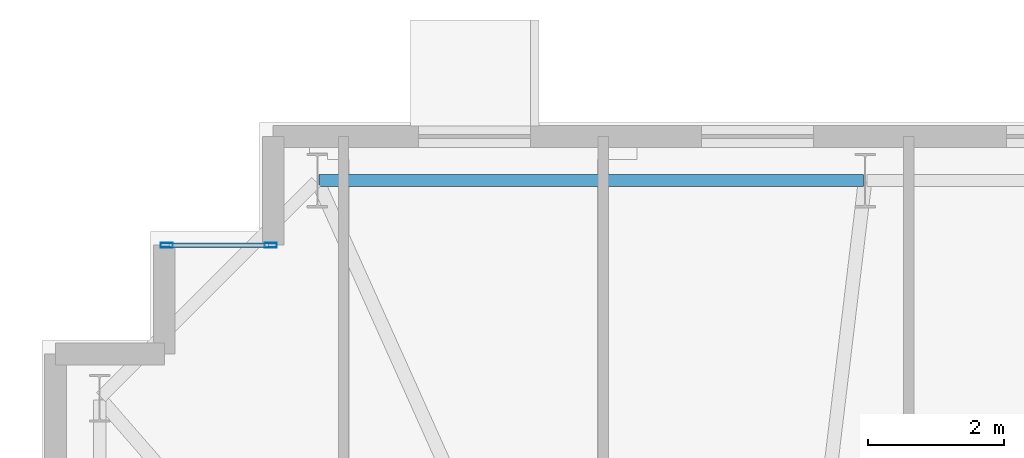
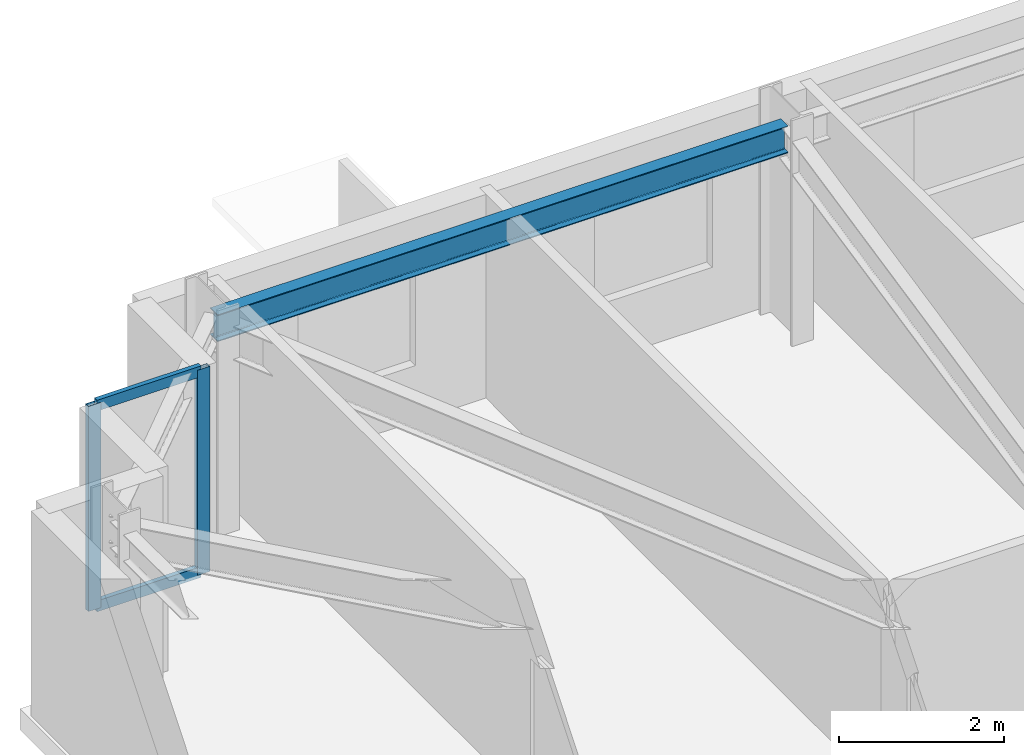
# One storey, part 7 of 17: 4 members, 1 beam, 1 element without a shape of its own.
"""IFC4 building model written with IfcOpenShell, lengths in metres."""

import ifcopenshell
import ifcopenshell.guid

model = None  # the IFC model being written
_history = None  # IfcOwnerHistory: only IFC2X3 demands one
_inside = {}  # id of a spatial element -> (the spatial element, [elements in it])
_under = {}  # id of a project, library or spatial element -> (it, [spatial elements below it])
_declared = {}  # id of a project -> (the project, [libraries it declares])
_typed = {}  # id of a type object -> (the type object, [elements of that type])
_made_of = {}  # id of a material, layer set ... -> (it, [elements and type objects made of it])


def new_model(schema):
    """Start an empty IFC model of exactly this schema.

    Asked for "IFC4X3", IfcOpenShell would pick the latest addendum, in which some entities
    have other attributes; the version numbers below select the first issue.
    IFC2X3 requires an IfcOwnerHistory on every rooted entity: one is made here for all.
    """
    global model, _history
    if schema == "IFC4X3":
        model = ifcopenshell.file(schema_version=(4, 3, 0, 0))
    else:
        model = ifcopenshell.file(schema=schema)
    _inside.clear()
    _under.clear()
    _declared.clear()
    _typed.clear()
    _made_of.clear()
    _history = None
    if model.schema == "IFC2X3":
        org = make("IfcOrganization", Name="unknown")
        user = make(
            "IfcPersonAndOrganization",
            ThePerson=make("IfcPerson", FamilyName="unknown"),
            TheOrganization=org,
        )
        app = make(
            "IfcApplication",
            ApplicationDeveloper=org,
            Version="unknown",
            ApplicationFullName="unknown",
            ApplicationIdentifier="unknown",
        )
        _history = make(
            "IfcOwnerHistory",
            OwningUser=user,
            OwningApplication=app,
            ChangeAction="ADDED",
            CreationDate=0,
        )
    return model


def make(cls, **values):
    """One entity of the class cls with the attributes given. An attribute that is None is left unset."""
    return model.create_entity(
        cls, **{name: value for name, value in values.items() if value is not None}
    )


def rooted(cls, **values):
    """An entity with a GlobalId (a new one), such as an element, a storey or a relation."""
    return make(cls, GlobalId=ifcopenshell.guid.new(), OwnerHistory=_history, **values)


def si_unit(unit_type, name, prefix=None):
    """IfcSIUnit, for example si_unit("LENGTHUNIT", "METRE", prefix="MILLI")."""
    return make("IfcSIUnit", UnitType=unit_type, Prefix=prefix, Name=name)


def assignment(units):
    """IfcUnitAssignment: the units of a project."""
    return None if units is None else make("IfcUnitAssignment", Units=units)


def point(xyz):
    """IfcCartesianPoint."""
    return None if xyz is None else make("IfcCartesianPoint", Coordinates=xyz)


def direction(xyz):
    """IfcDirection."""
    return None if xyz is None else make("IfcDirection", DirectionRatios=xyz)


def frame(location, z_axis=None, x_axis=None):
    """IfcAxis2Placement3D, a coordinate frame: its origin and axes. An axis left out is left unset."""
    return make(
        "IfcAxis2Placement3D",
        Location=point(location),
        Axis=direction(z_axis),
        RefDirection=direction(x_axis),
    )


def frame_2d(location, x_axis=None):
    """IfcAxis2Placement2D, a coordinate frame in the plane: its origin and x axis."""
    return make(
        "IfcAxis2Placement2D", Location=point(location), RefDirection=direction(x_axis)
    )


def origin():
    """The frame at (0, 0, 0) with its axes left unset."""
    return frame((0.0, 0.0, 0.0))


def origin_2d():
    """The frame at (0, 0) in the plane with its x axis left unset."""
    return frame_2d((0.0, 0.0))


def place(relative_to, where):
    """IfcLocalPlacement: puts the frame where relative to a parent placement (None: the world)."""
    return make(
        "IfcLocalPlacement", PlacementRelTo=relative_to, RelativePlacement=where
    )


def context(
    kind, dimensions, precision=None, world=None, true_north=None, identifier=None
):
    """IfcGeometricRepresentationContext, for example the 3D "Model" context."""
    return make(
        "IfcGeometricRepresentationContext",
        ContextIdentifier=identifier,
        ContextType=kind,
        CoordinateSpaceDimension=dimensions,
        Precision=precision,
        WorldCoordinateSystem=world,
        TrueNorth=true_north,
    )


def subcontext(parent, identifier, kind, view, scale=None):
    """IfcGeometricRepresentationSubContext, for example "Body" below "Model"."""
    return make(
        "IfcGeometricRepresentationSubContext",
        ContextIdentifier=identifier,
        ContextType=kind,
        ParentContext=parent,
        TargetScale=scale,
        TargetView=view,
    )


def project(units=None, contexts=None):
    """IfcProject with its units and contexts."""
    return rooted(
        "IfcProject",
        Name="project",
        RepresentationContexts=contexts,
        UnitsInContext=assignment(units),
    )


def spatial(cls, under=None, at=None, **own):
    """A site, building, storey or space (cls), placed at a placement, below another one or the project."""
    s = rooted(cls, ObjectPlacement=at, **own)
    if under is not None:
        _under.setdefault(under.id(), (under, []))[1].append(s)
    return s


def profile(cls, at=None, kind="AREA", **sizes):
    """A parametric profile (cls). Its sizes go by their IFC names, for example OverallWidth=200.0."""
    return make(cls, ProfileType=kind, Position=at, **sizes)


def hollow_rectangle(**sizes):
    """IfcRectangleHollowProfileDef."""
    return profile("IfcRectangleHollowProfileDef", **sizes)


def i_section(**sizes):
    """IfcIShapeProfileDef."""
    return profile("IfcIShapeProfileDef", **sizes)


def extrude(swept, where, along, depth):
    """IfcExtrudedAreaSolid: the profile swept, set in the frame where, extruded along a direction by depth."""
    return make(
        "IfcExtrudedAreaSolid",
        SweptArea=swept,
        Position=where,
        ExtrudedDirection=direction(along),
        Depth=depth,
    )


def shape(context_of_items, identifier, shape_type, items):
    """IfcShapeRepresentation: the items that make up one representation, for example the "Body"."""
    return make(
        "IfcShapeRepresentation",
        ContextOfItems=context_of_items,
        RepresentationIdentifier=identifier,
        RepresentationType=shape_type,
        Items=items,
    )


def material(Name=None, Category=None):
    """IfcMaterial."""
    return make("IfcMaterial", Name=Name, Category=Category)


def layer(
    of_material, thickness, ventilated=None, Name=None, Category=None, Priority=None
):
    """IfcMaterialLayer: one layer of a wall or slab, of a material (None: an air gap)."""
    return make(
        "IfcMaterialLayer",
        Material=of_material,
        LayerThickness=thickness,
        IsVentilated=ventilated,
        Name=Name,
        Category=Category,
        Priority=Priority,
    )


def layer_set(layers, Name=None):
    """IfcMaterialLayerSet."""
    return make("IfcMaterialLayerSet", MaterialLayers=layers, LayerSetName=Name)


def material_profile(
    of_material, cross_section, Name=None, Category=None, Priority=None
):
    """IfcMaterialProfile: a cross section and its material."""
    return make(
        "IfcMaterialProfile",
        Name=Name,
        Material=of_material,
        Profile=cross_section,
        Priority=Priority,
        Category=Category,
    )


def profile_set(profiles, Name=None, composite=None):
    """IfcMaterialProfileSet."""
    return make(
        "IfcMaterialProfileSet",
        Name=Name,
        MaterialProfiles=profiles,
        CompositeProfile=composite,
    )


def made_of(thing, what):
    """Note that an element or type object is made of a material, layer set ...; save() writes the relation."""
    if what is not None:
        _made_of.setdefault(what.id(), (what, []))[1].append(thing)
    return thing


def type_object(cls, material=None, **own):
    """A type object (cls), such as IfcWallType, which elements share."""
    return made_of(rooted(cls, **own), material)


def element(
    cls,
    number,
    at=None,
    inside=None,
    cuts=None,
    type_object=None,
    material=None,
    context=None,
    identifier="Body",
    shape_type=None,
    held_by="IfcProductDefinitionShape",
    body=None,
    shapes=None,
    **own,
):
    """One element of the class cls, such as IfcWall. Its Tag is "e" and its number.

    at: its placement. inside: the storey or other place that contains it. cuts: it is an
    opening in that element (IfcRelVoidsElement). A single representation is given by context,
    identifier, shape_type and body (its items); several are given by shapes. held_by: the class
    of the entity that holds the representations. save() writes the other relations.
    """
    e = rooted(cls, Tag="e%d" % number, ObjectPlacement=at, **own)
    if body is not None:
        shapes = [shape(context, identifier, shape_type, body)]
    if shapes is not None:
        e.Representation = make(held_by, Representations=shapes)
    if inside is not None:
        _inside.setdefault(inside.id(), (inside, []))[1].append(e)
    if cuts is not None:
        rooted(
            "IfcRelVoidsElement", RelatingBuildingElement=cuts, RelatedOpeningElement=e
        )
    if type_object is not None:
        _typed.setdefault(type_object.id(), (type_object, []))[1].append(e)
    return made_of(e, material)


def aggregate(whole, parts):
    """IfcRelAggregates: a whole, such as a stair, and the parts it consists of."""
    return rooted("IfcRelAggregates", RelatingObject=whole, RelatedObjects=parts)


def save(model, path):
    """Write the relations noted so far, then the file.

    IfcRelAggregates (storeys below a building ...), IfcRelContainedInSpatialStructure (elements
    in a storey), IfcRelDefinesByType, IfcRelAssociatesMaterial and IfcRelDeclares: one each for
    every whole, place, type object, material and project.
    """
    for whole, parts in _under.values():
        aggregate(whole, parts)
    for where, things in _inside.values():
        rooted(
            "IfcRelContainedInSpatialStructure",
            RelatedElements=things,
            RelatingStructure=where,
        )
    for kind, things in _typed.values():
        rooted("IfcRelDefinesByType", RelatedObjects=things, RelatingType=kind)
    for what, things in _made_of.values():
        rooted("IfcRelAssociatesMaterial", RelatedObjects=things, RelatingMaterial=what)
    for by, libraries in _declared.values():
        rooted("IfcRelDeclares", RelatingContext=by, RelatedDefinitions=libraries)
    model.write(path)


model = new_model("IFC4")

# Units and contexts
model_context = context("Model", 3, precision=1e-05, world=origin(), true_north=direction((0.0, 1.0)))
body_context = subcontext(model_context, "Body", "Model", "MODEL_VIEW")
ifc_project = project(units=[si_unit("LENGTHUNIT", "METRE"), si_unit("AREAUNIT", "SQUARE_METRE"), si_unit("VOLUMEUNIT", "CUBIC_METRE"), si_unit("PLANEANGLEUNIT", "RADIAN"), si_unit("MASSUNIT", "GRAM", prefix="KILO")], contexts=[model_context])

# Site, building, storey
site_placement = place(None, origin())
site = spatial("IfcSite", under=ifc_project, at=site_placement, CompositionType="ELEMENT")
building_placement = place(site_placement, origin())
building = spatial("IfcBuilding", under=site, at=building_placement, Name="Qobustan Lattice House", CompositionType="ELEMENT")
storey_placement = place(building_placement, frame((0.0, 0.0, 164.5)))
storey = spatial("IfcBuildingStorey", under=building, at=storey_placement, Name="L46", CompositionType="ELEMENT", Elevation=164.5)

# Beam
ifc_material_1 = material(Name="Steel S355", Category="steel")
ifc_material_profile_1 = material_profile(ifc_material_1, i_section(OverallWidth=0.179931640625, OverallDepth=0.39990234375, WebThickness=0.008544921875, FlangeThickness=0.013427734375, FilletRadius=0.02099609375, at=origin_2d()), Name="IPE400")
ifc_profile_set_1 = profile_set([ifc_material_profile_1], Name="Steel S355")
beam_type = type_object("IfcBeamType", Name="BM-SPD-IPE400", PredefinedType="SPANDREL", material=ifc_profile_set_1)
beam_placement = place(storey_placement, frame((-17.125, 19.75, 2.840087890625), z_axis=(-1.0, 0.0, 0.0), x_axis=(0.0, -1.0, 0.0)))
element("IfcBeam", 1, at=beam_placement, inside=storey, type_object=beam_type, Name="L46 perimeter spandrel N6-N7", PredefinedType="SPANDREL", context=body_context, shape_type="SweptSolid", body=[
    extrude(i_section(OverallWidth=0.179931640625, OverallDepth=0.39990234375, WebThickness=0.008544921875, FlangeThickness=0.013427734375, FilletRadius=0.02099609375, at=origin_2d()), origin(), (0.0, 0.0, 1.0), 8.0),
])

# Curtain wall, members
ifc_material_2 = material(Name="Anodised aluminium and low-E glazing", Category="aluminium")
ifc_layer = layer(ifc_material_2, 0.219970703125)
ifc_layer_set = layer_set([ifc_layer], Name="Anodised aluminium and low-E glazing")
curtain_wall_type = type_object("IfcCurtainWallType", Name="CW-FAC-02", PredefinedType="USERDEFINED", material=ifc_layer_set)
curtain_wall_placement = place(storey_placement, origin())
curtain_wall = element("IfcCurtainWall", 2, at=curtain_wall_placement, inside=storey, type_object=curtain_wall_type, Name="L46 serrated corner faceted glazing 8", ObjectType="CURTAIN WALL", PredefinedType="USERDEFINED")
ifc_material_3 = material(Name="Anodised aluminium EN AW-6063 T6", Category="aluminium")
ifc_material_profile_2 = material_profile(ifc_material_3, hollow_rectangle(XDim=0.070068359375, YDim=0.179931640625, WallThickness=0.00439453125, at=origin_2d()), Name="CWM-180x70")
ifc_profile_set_2 = profile_set([ifc_material_profile_2], Name="Anodised aluminium EN AW-6063 T6")
member_type_1 = type_object("IfcMemberType", Name="CWM-STD-180", PredefinedType="MULLION", material=ifc_profile_set_2)
member_1_placement = place(storey_placement, frame((-27.364990234375, 18.800048828125, 0.0), z_axis=(0.0, 0.0, 1.0), x_axis=(0.0, 1.0, 0.0)))
member_1 = element("IfcMember", 3, at=member_1_placement, type_object=member_type_1, Name="CW-F2 mullion 1", PredefinedType="MULLION", context=body_context, shape_type="SweptSolid", body=[
    extrude(hollow_rectangle(XDim=0.070068359375, YDim=0.179931640625, WallThickness=0.00439453125, at=origin_2d()), origin(), (0.0, 0.0, 1.0), 3.0400390625),
])
member_2_placement = place(storey_placement, frame((-25.8349609375, 18.800048828125, 0.0), z_axis=(0.0, 0.0, 1.0), x_axis=(0.0, 1.0, 0.0)))
member_2 = element("IfcMember", 4, at=member_2_placement, type_object=member_type_1, Name="CW-F2 mullion 2", PredefinedType="MULLION", context=body_context, shape_type="SweptSolid", body=[
    extrude(hollow_rectangle(XDim=0.070068359375, YDim=0.179931640625, WallThickness=0.00439453125, at=origin_2d()), origin(), (0.0, 0.0, 1.0), 3.0400390625),
])
ifc_material_4 = material(Name="Anodised aluminium EN AW-6063 T6", Category="aluminium")
ifc_material_profile_3 = material_profile(ifc_material_4, hollow_rectangle(XDim=0.06494140625, YDim=0.159912109375, WallThickness=0.00390625, at=origin_2d()), Name="CWT-160x65")
ifc_profile_set_3 = profile_set([ifc_material_profile_3], Name="Anodised aluminium EN AW-6063 T6")
member_type_2 = type_object("IfcMemberType", Name="CWT-HOR-160", PredefinedType="USERDEFINED", material=ifc_profile_set_3)
member_3_placement = place(storey_placement, frame((-27.330078125, 18.800048828125, 0.032470703125), z_axis=(1.0, 0.0, 0.0), x_axis=(0.0, 1.0, 0.0)))
member_3 = element("IfcMember", 5, at=member_3_placement, type_object=member_type_2, Name="CW-F2 transom 1.1", ObjectType="TRANSOM", PredefinedType="USERDEFINED", context=body_context, shape_type="SweptSolid", body=[
    extrude(hollow_rectangle(XDim=0.06494140625, YDim=0.159912109375, WallThickness=0.00390625, at=origin_2d()), origin(), (0.0, 0.0, 1.0), 1.4599609375),
])
member_4_placement = place(storey_placement, frame((-27.330078125, 18.800048828125, 3.007568359375), z_axis=(1.0, 0.0, 0.0), x_axis=(0.0, 1.0, 0.0)))
member_4 = element("IfcMember", 6, at=member_4_placement, type_object=member_type_2, Name="CW-F2 transom 1.2", ObjectType="TRANSOM", PredefinedType="USERDEFINED", context=body_context, shape_type="SweptSolid", body=[
    extrude(hollow_rectangle(XDim=0.06494140625, YDim=0.159912109375, WallThickness=0.00390625, at=origin_2d()), origin(), (0.0, 0.0, 1.0), 1.4599609375),
])
aggregate(curtain_wall, [member_1, member_2, member_3, member_4])

save(model, "model.ifc")
